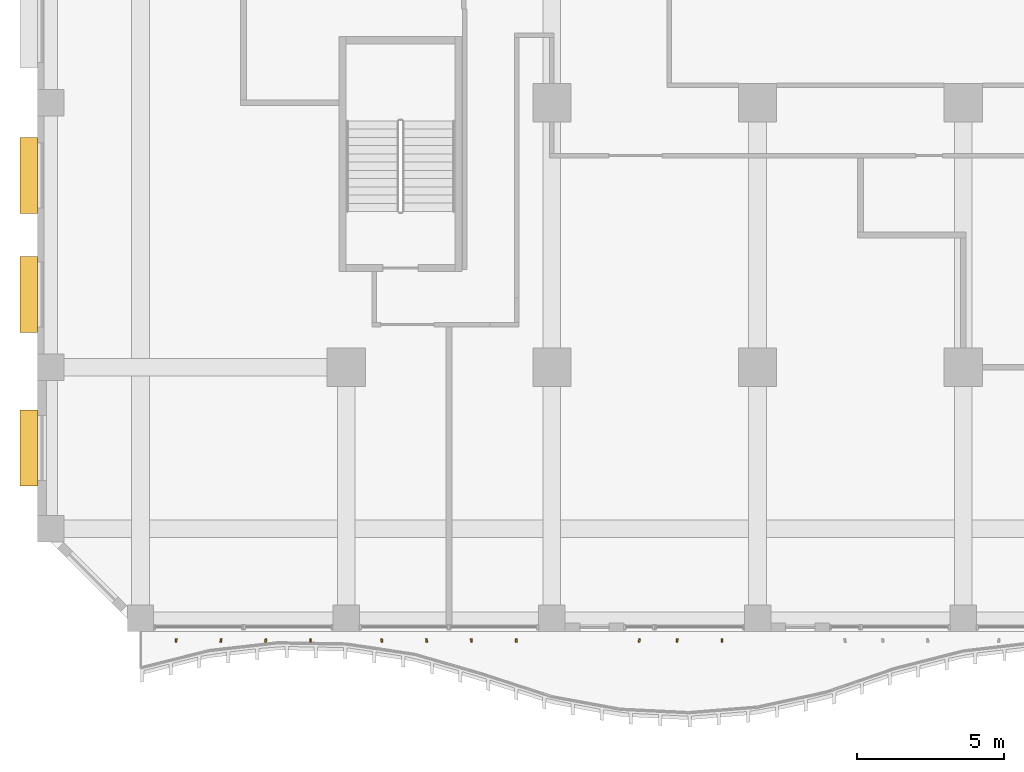
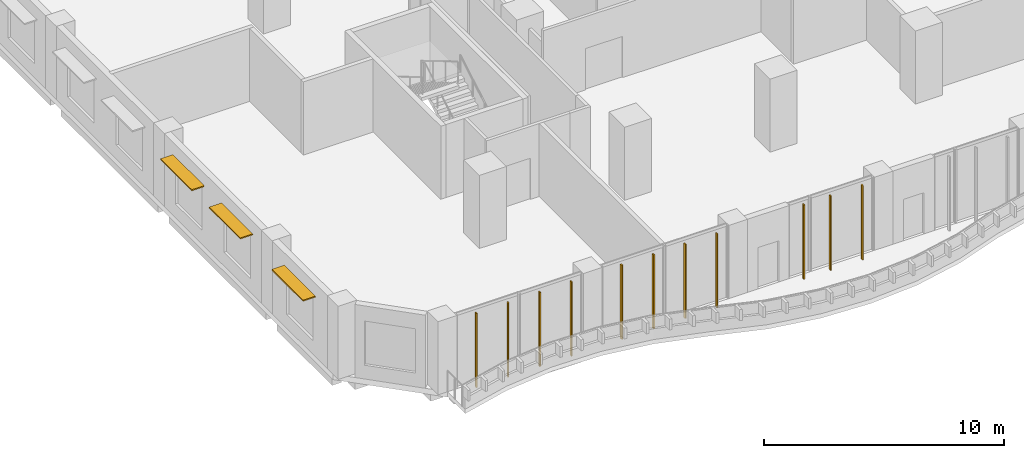
# One storey, part 17 of 24: 14 shading devices.
"""IFC4 building model written with IfcOpenShell, lengths in metres."""

import ifcopenshell
import ifcopenshell.guid

model = None  # the IFC model being written
_history = None  # IfcOwnerHistory: only IFC2X3 demands one
_inside = {}  # id of a spatial element -> (the spatial element, [elements in it])
_under = {}  # id of a project, library or spatial element -> (it, [spatial elements below it])
_declared = {}  # id of a project -> (the project, [libraries it declares])
_typed = {}  # id of a type object -> (the type object, [elements of that type])
_made_of = {}  # id of a material, layer set ... -> (it, [elements and type objects made of it])


def new_model(schema):
    """Start an empty IFC model of exactly this schema.

    Asked for "IFC4X3", IfcOpenShell would pick the latest addendum, in which some entities
    have other attributes; the version numbers below select the first issue.
    IFC2X3 requires an IfcOwnerHistory on every rooted entity: one is made here for all.
    """
    global model, _history
    if schema == "IFC4X3":
        model = ifcopenshell.file(schema_version=(4, 3, 0, 0))
    else:
        model = ifcopenshell.file(schema=schema)
    _inside.clear()
    _under.clear()
    _declared.clear()
    _typed.clear()
    _made_of.clear()
    _history = None
    if model.schema == "IFC2X3":
        org = make("IfcOrganization", Name="unknown")
        user = make(
            "IfcPersonAndOrganization",
            ThePerson=make("IfcPerson", FamilyName="unknown"),
            TheOrganization=org,
        )
        app = make(
            "IfcApplication",
            ApplicationDeveloper=org,
            Version="unknown",
            ApplicationFullName="unknown",
            ApplicationIdentifier="unknown",
        )
        _history = make(
            "IfcOwnerHistory",
            OwningUser=user,
            OwningApplication=app,
            ChangeAction="ADDED",
            CreationDate=0,
        )
    return model


def make(cls, **values):
    """One entity of the class cls with the attributes given. An attribute that is None is left unset."""
    return model.create_entity(
        cls, **{name: value for name, value in values.items() if value is not None}
    )


def rooted(cls, **values):
    """An entity with a GlobalId (a new one), such as an element, a storey or a relation."""
    return make(cls, GlobalId=ifcopenshell.guid.new(), OwnerHistory=_history, **values)


def si_unit(unit_type, name, prefix=None):
    """IfcSIUnit, for example si_unit("LENGTHUNIT", "METRE", prefix="MILLI")."""
    return make("IfcSIUnit", UnitType=unit_type, Prefix=prefix, Name=name)


def assignment(units):
    """IfcUnitAssignment: the units of a project."""
    return None if units is None else make("IfcUnitAssignment", Units=units)


def point(xyz):
    """IfcCartesianPoint."""
    return None if xyz is None else make("IfcCartesianPoint", Coordinates=xyz)


def direction(xyz):
    """IfcDirection."""
    return None if xyz is None else make("IfcDirection", DirectionRatios=xyz)


def frame(location, z_axis=None, x_axis=None):
    """IfcAxis2Placement3D, a coordinate frame: its origin and axes. An axis left out is left unset."""
    return make(
        "IfcAxis2Placement3D",
        Location=point(location),
        Axis=direction(z_axis),
        RefDirection=direction(x_axis),
    )


def frame_2d(location, x_axis=None):
    """IfcAxis2Placement2D, a coordinate frame in the plane: its origin and x axis."""
    return make(
        "IfcAxis2Placement2D", Location=point(location), RefDirection=direction(x_axis)
    )


def origin():
    """The frame at (0, 0, 0) with its axes left unset."""
    return frame((0.0, 0.0, 0.0))


def origin_2d():
    """The frame at (0, 0) in the plane with its x axis left unset."""
    return frame_2d((0.0, 0.0))


def place(relative_to, where):
    """IfcLocalPlacement: puts the frame where relative to a parent placement (None: the world)."""
    return make(
        "IfcLocalPlacement", PlacementRelTo=relative_to, RelativePlacement=where
    )


def context(
    kind, dimensions, precision=None, world=None, true_north=None, identifier=None
):
    """IfcGeometricRepresentationContext, for example the 3D "Model" context."""
    return make(
        "IfcGeometricRepresentationContext",
        ContextIdentifier=identifier,
        ContextType=kind,
        CoordinateSpaceDimension=dimensions,
        Precision=precision,
        WorldCoordinateSystem=world,
        TrueNorth=true_north,
    )


def subcontext(parent, identifier, kind, view, scale=None):
    """IfcGeometricRepresentationSubContext, for example "Body" below "Model"."""
    return make(
        "IfcGeometricRepresentationSubContext",
        ContextIdentifier=identifier,
        ContextType=kind,
        ParentContext=parent,
        TargetScale=scale,
        TargetView=view,
    )


def project(units=None, contexts=None):
    """IfcProject with its units and contexts."""
    return rooted(
        "IfcProject",
        Name="project",
        RepresentationContexts=contexts,
        UnitsInContext=assignment(units),
    )


def spatial(cls, under=None, at=None, **own):
    """A site, building, storey or space (cls), placed at a placement, below another one or the project."""
    s = rooted(cls, ObjectPlacement=at, **own)
    if under is not None:
        _under.setdefault(under.id(), (under, []))[1].append(s)
    return s


def profile(cls, at=None, kind="AREA", **sizes):
    """A parametric profile (cls). Its sizes go by their IFC names, for example OverallWidth=200.0."""
    return make(cls, ProfileType=kind, Position=at, **sizes)


def rectangle(**sizes):
    """IfcRectangleProfileDef."""
    return profile("IfcRectangleProfileDef", **sizes)


def extrude(swept, where, along, depth):
    """IfcExtrudedAreaSolid: the profile swept, set in the frame where, extruded along a direction by depth."""
    return make(
        "IfcExtrudedAreaSolid",
        SweptArea=swept,
        Position=where,
        ExtrudedDirection=direction(along),
        Depth=depth,
    )


def shape(context_of_items, identifier, shape_type, items):
    """IfcShapeRepresentation: the items that make up one representation, for example the "Body"."""
    return make(
        "IfcShapeRepresentation",
        ContextOfItems=context_of_items,
        RepresentationIdentifier=identifier,
        RepresentationType=shape_type,
        Items=items,
    )


def source(mapping_origin, context_of_items, identifier, shape_type, items):
    """IfcRepresentationMap: a shape defined once, which mapped items show again and again."""
    return make(
        "IfcRepresentationMap",
        MappingOrigin=mapping_origin,
        MappedRepresentation=shape(context_of_items, identifier, shape_type, items),
    )


def transform(
    local_origin,
    x_axis=None,
    y_axis=None,
    z_axis=None,
    scale=None,
    scale2=None,
    scale3=None,
    uniform=True,
):
    """IfcCartesianTransformationOperator3D, or its non-uniform kind. x_axis, y_axis, z_axis: its Axis1, 2, 3."""
    if uniform:
        return make(
            "IfcCartesianTransformationOperator3D",
            Axis1=direction(x_axis),
            Axis2=direction(y_axis),
            LocalOrigin=point(local_origin),
            Scale=scale,
            Axis3=direction(z_axis),
        )
    return make(
        "IfcCartesianTransformationOperator3DnonUniform",
        Axis1=direction(x_axis),
        Axis2=direction(y_axis),
        LocalOrigin=point(local_origin),
        Scale=scale,
        Axis3=direction(z_axis),
        Scale2=scale2,
        Scale3=scale3,
    )


def mapped(mapping_source, mapping_target):
    """IfcMappedItem: shows the shape of a source again, moved by a transform."""
    return make(
        "IfcMappedItem", MappingSource=mapping_source, MappingTarget=mapping_target
    )


def material(Name=None, Category=None):
    """IfcMaterial."""
    return make("IfcMaterial", Name=Name, Category=Category)


def layer(
    of_material, thickness, ventilated=None, Name=None, Category=None, Priority=None
):
    """IfcMaterialLayer: one layer of a wall or slab, of a material (None: an air gap)."""
    return make(
        "IfcMaterialLayer",
        Material=of_material,
        LayerThickness=thickness,
        IsVentilated=ventilated,
        Name=Name,
        Category=Category,
        Priority=Priority,
    )


def layer_set(layers, Name=None):
    """IfcMaterialLayerSet."""
    return make("IfcMaterialLayerSet", MaterialLayers=layers, LayerSetName=Name)


def material_profile(
    of_material, cross_section, Name=None, Category=None, Priority=None
):
    """IfcMaterialProfile: a cross section and its material."""
    return make(
        "IfcMaterialProfile",
        Name=Name,
        Material=of_material,
        Profile=cross_section,
        Priority=Priority,
        Category=Category,
    )


def profile_set(profiles, Name=None, composite=None):
    """IfcMaterialProfileSet."""
    return make(
        "IfcMaterialProfileSet",
        Name=Name,
        MaterialProfiles=profiles,
        CompositeProfile=composite,
    )


def made_of(thing, what):
    """Note that an element or type object is made of a material, layer set ...; save() writes the relation."""
    if what is not None:
        _made_of.setdefault(what.id(), (what, []))[1].append(thing)
    return thing


def type_object(cls, material=None, **own):
    """A type object (cls), such as IfcWallType, which elements share."""
    return made_of(rooted(cls, **own), material)


def element(
    cls,
    number,
    at=None,
    inside=None,
    cuts=None,
    type_object=None,
    material=None,
    context=None,
    identifier="Body",
    shape_type=None,
    held_by="IfcProductDefinitionShape",
    body=None,
    shapes=None,
    **own,
):
    """One element of the class cls, such as IfcWall. Its Tag is "e" and its number.

    at: its placement. inside: the storey or other place that contains it. cuts: it is an
    opening in that element (IfcRelVoidsElement). A single representation is given by context,
    identifier, shape_type and body (its items); several are given by shapes. held_by: the class
    of the entity that holds the representations. save() writes the other relations.
    """
    e = rooted(cls, Tag="e%d" % number, ObjectPlacement=at, **own)
    if body is not None:
        shapes = [shape(context, identifier, shape_type, body)]
    if shapes is not None:
        e.Representation = make(held_by, Representations=shapes)
    if inside is not None:
        _inside.setdefault(inside.id(), (inside, []))[1].append(e)
    if cuts is not None:
        rooted(
            "IfcRelVoidsElement", RelatingBuildingElement=cuts, RelatedOpeningElement=e
        )
    if type_object is not None:
        _typed.setdefault(type_object.id(), (type_object, []))[1].append(e)
    return made_of(e, material)


def aggregate(whole, parts):
    """IfcRelAggregates: a whole, such as a stair, and the parts it consists of."""
    return rooted("IfcRelAggregates", RelatingObject=whole, RelatedObjects=parts)


def save(model, path):
    """Write the relations noted so far, then the file.

    IfcRelAggregates (storeys below a building ...), IfcRelContainedInSpatialStructure (elements
    in a storey), IfcRelDefinesByType, IfcRelAssociatesMaterial and IfcRelDeclares: one each for
    every whole, place, type object, material and project.
    """
    for whole, parts in _under.values():
        aggregate(whole, parts)
    for where, things in _inside.values():
        rooted(
            "IfcRelContainedInSpatialStructure",
            RelatedElements=things,
            RelatingStructure=where,
        )
    for kind, things in _typed.values():
        rooted("IfcRelDefinesByType", RelatedObjects=things, RelatingType=kind)
    for what, things in _made_of.values():
        rooted("IfcRelAssociatesMaterial", RelatedObjects=things, RelatingMaterial=what)
    for by, libraries in _declared.values():
        rooted("IfcRelDeclares", RelatingContext=by, RelatedDefinitions=libraries)
    model.write(path)


model = new_model("IFC4")

# Units and contexts
model_context = context("Model", 3, precision=1e-05, world=origin(), true_north=direction((0.0, 1.0)))
body_context = subcontext(model_context, "Body", "Model", "MODEL_VIEW")
ifc_project = project(units=[si_unit("LENGTHUNIT", "METRE"), si_unit("AREAUNIT", "SQUARE_METRE"), si_unit("VOLUMEUNIT", "CUBIC_METRE"), si_unit("PLANEANGLEUNIT", "RADIAN"), si_unit("MASSUNIT", "GRAM", prefix="KILO")], contexts=[model_context])

# Site, building, storey
site_placement = place(None, origin())
site = spatial("IfcSite", under=ifc_project, at=site_placement, CompositionType="ELEMENT")
building_placement = place(site_placement, origin())
building = spatial("IfcBuilding", under=site, at=building_placement, Name="Kilnfold Tower and Market Hall", CompositionType="ELEMENT")
storey_placement = place(building_placement, frame((0.0, 0.0, 35.0)))
storey = spatial("IfcBuildingStorey", under=building, at=storey_placement, Name="L07", CompositionType="ELEMENT", Elevation=35.0)

# Shading devices
ifc_material_1 = material(Name="Terracotta", Category="masonry")
ifc_material_profile = material_profile(ifc_material_1, rectangle(XDim=0.06005859375, YDim=0.1201171875, at=origin_2d()), Name="BAG 60x120")
ifc_profile_set = profile_set([ifc_material_profile], Name="Terracotta")
shading_device_type_1 = type_object("IfcShadingDeviceType", Name="BAGUETTE", PredefinedType="USERDEFINED", material=ifc_profile_set)
shared_shape_1 = source(origin(), body_context, "Body", "SweptSolid", [
    extrude(rectangle(XDim=0.06005859375, YDim=0.1201171875, at=origin_2d()), origin(), (0.0, 0.0, 1.0), 3.780029296875),
])
for number, where, z_axis, x_axis, name in (
    (1, (-23.28759765625, -28.300048828125, 0.0), (0.0, 0.0, 1.0), (0.994002826275, -0.109354384265, 0.0), "Terracotta baguette L07 S"),
    (2, (-21.762451171875, -28.300048828125, 0.0), (0.0, 0.0, 1.0), (0.99027049762, -0.139155817501, 0.0), "Terracotta baguette L07 S"),
    (3, (-20.237548828125, -28.300048828125, 0.0), (0.0, 0.0, 1.0), (0.99430655716, -0.106557357269, 0.0), "Terracotta baguette L07 S"),
    (4, (-18.71240234375, -28.300048828125, 0.0), (0.0, 0.0, 1.0), (0.999666581841, -0.025821021497, 0.0), "Terracotta baguette L07 S"),
    (5, (-16.28759765625, -28.300048828125, 0.0), (0.0, 0.0, 1.0), (0.994002826275, 0.109354384265, 0.0), "Terracotta baguette L07 S"),
    (6, (-14.762451171875, -28.300048828125, 0.0), (0.0, 0.0, 1.0), (0.99027049762, 0.139155817501, 0.0), "Terracotta baguette L07 S"),
    (7, (-13.237548828125, -28.300048828125, 0.0), (0.0, 0.0, 1.0), (0.99430655716, 0.106557357269, 0.0), "Terracotta baguette L07 S"),
    (8, (-11.71240234375, -28.300048828125, 0.0), (0.0, 0.0, 1.0), (0.999666581841, 0.025821021497, 0.0), "Terracotta baguette L07 S"),
    (9, (-7.52490234375, -28.300048828125, 0.0), (0.0, 0.0, 1.0), (0.99041326747, -0.138136018543, 0.0), "Terracotta baguette L07 S"),
    (10, (-6.237548828125, -28.300048828125, 0.0), (0.0, 0.0, 1.0), (0.99430655716, -0.106557357269, 0.0), "Terracotta baguette L07 S"),
    (11, (-4.71240234375, -28.300048828125, 0.0), (0.0, 0.0, 1.0), (0.999666581841, -0.025821021497, 0.0), "Terracotta baguette L07 S"),
):
    element("IfcShadingDevice", number, at=place(storey_placement, frame(where, z_axis=z_axis, x_axis=x_axis)), inside=storey, type_object=shading_device_type_1, Name=name, ObjectType="BAGUETTE", PredefinedType="USERDEFINED", context=body_context, shape_type="MappedRepresentation", body=[
        mapped(shared_shape_1, transform((0.0, 0.0, 0.0))),
    ])
ifc_material_2 = material(Name="Terracotta", Category="masonry")
ifc_layer = layer(ifc_material_2, 0.06005859375)
ifc_layer_set = layer_set([ifc_layer], Name="Terracotta")
shading_device_type_2 = type_object("IfcShadingDeviceType", Name="SUNSHADE BLADE 600", PredefinedType="USERDEFINED", material=ifc_layer_set)
shared_shape_2 = source(origin(), body_context, "Body", "SweptSolid", [
    extrude(rectangle(XDim=2.60009765625, YDim=0.60009765625, at=origin_2d()), origin(), (0.0, 0.0, 1.0), 0.06005859375),
])
for number, where, z_axis, x_axis, name in (
    (12, (-28.300048828125, -12.47509765625, 3.030029296875), (0.0, 0.0, 1.0), (0.0, -1.0, 0.0), "Sunshade L07 W"),
    (13, (-28.300048828125, -16.52490234375, 3.030029296875), (0.0, 0.0, 1.0), (0.0, -1.0, 0.0), "Sunshade L07 W"),
    (14, (-28.300048828125, -21.75, 3.030029296875), (0.0, 0.0, 1.0), (0.0, -1.0, 0.0), "Sunshade L07 W"),
):
    element("IfcShadingDevice", number, at=place(storey_placement, frame(where, z_axis=z_axis, x_axis=x_axis)), inside=storey, type_object=shading_device_type_2, Name=name, ObjectType="SUNSHADE", PredefinedType="USERDEFINED", context=body_context, shape_type="MappedRepresentation", body=[
        mapped(shared_shape_2, transform((0.0, 0.0, 0.0))),
    ])

save(model, "model.ifc")
